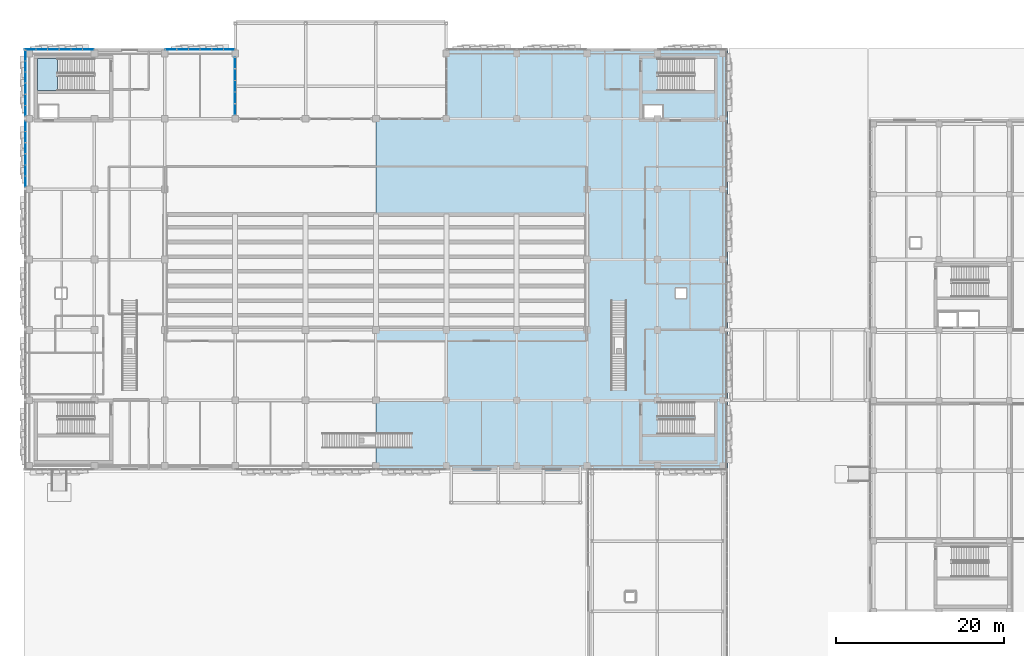
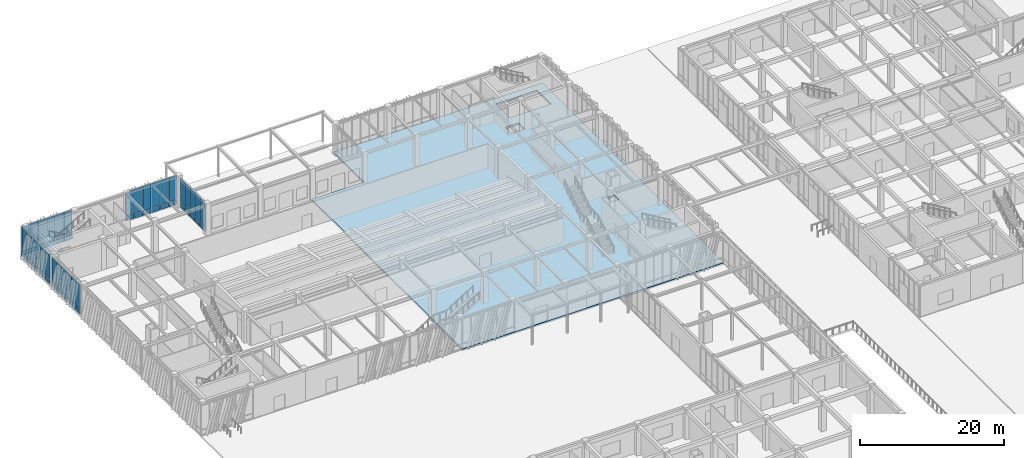
# One storey, part 84 of 122: 58 plates, 2 slabs, 6 elements without a shape of their own.
"""IFC4 building model written with IfcOpenShell, lengths in metres."""

import ifcopenshell
import ifcopenshell.guid

model = None  # the IFC model being written
_history = None  # IfcOwnerHistory: only IFC2X3 demands one
_inside = {}  # id of a spatial element -> (the spatial element, [elements in it])
_under = {}  # id of a project, library or spatial element -> (it, [spatial elements below it])
_declared = {}  # id of a project -> (the project, [libraries it declares])
_typed = {}  # id of a type object -> (the type object, [elements of that type])
_made_of = {}  # id of a material, layer set ... -> (it, [elements and type objects made of it])


def new_model(schema):
    """Start an empty IFC model of exactly this schema.

    Asked for "IFC4X3", IfcOpenShell would pick the latest addendum, in which some entities
    have other attributes; the version numbers below select the first issue.
    IFC2X3 requires an IfcOwnerHistory on every rooted entity: one is made here for all.
    """
    global model, _history
    if schema == "IFC4X3":
        model = ifcopenshell.file(schema_version=(4, 3, 0, 0))
    else:
        model = ifcopenshell.file(schema=schema)
    _inside.clear()
    _under.clear()
    _declared.clear()
    _typed.clear()
    _made_of.clear()
    _history = None
    if model.schema == "IFC2X3":
        org = make("IfcOrganization", Name="unknown")
        user = make(
            "IfcPersonAndOrganization",
            ThePerson=make("IfcPerson", FamilyName="unknown"),
            TheOrganization=org,
        )
        app = make(
            "IfcApplication",
            ApplicationDeveloper=org,
            Version="unknown",
            ApplicationFullName="unknown",
            ApplicationIdentifier="unknown",
        )
        _history = make(
            "IfcOwnerHistory",
            OwningUser=user,
            OwningApplication=app,
            ChangeAction="ADDED",
            CreationDate=0,
        )
    return model


def make(cls, **values):
    """One entity of the class cls with the attributes given. An attribute that is None is left unset."""
    return model.create_entity(
        cls, **{name: value for name, value in values.items() if value is not None}
    )


def rooted(cls, **values):
    """An entity with a GlobalId (a new one), such as an element, a storey or a relation."""
    return make(cls, GlobalId=ifcopenshell.guid.new(), OwnerHistory=_history, **values)


def si_unit(unit_type, name, prefix=None):
    """IfcSIUnit, for example si_unit("LENGTHUNIT", "METRE", prefix="MILLI")."""
    return make("IfcSIUnit", UnitType=unit_type, Prefix=prefix, Name=name)


def assignment(units):
    """IfcUnitAssignment: the units of a project."""
    return None if units is None else make("IfcUnitAssignment", Units=units)


def point(xyz):
    """IfcCartesianPoint."""
    return None if xyz is None else make("IfcCartesianPoint", Coordinates=xyz)


def direction(xyz):
    """IfcDirection."""
    return None if xyz is None else make("IfcDirection", DirectionRatios=xyz)


def frame(location, z_axis=None, x_axis=None):
    """IfcAxis2Placement3D, a coordinate frame: its origin and axes. An axis left out is left unset."""
    return make(
        "IfcAxis2Placement3D",
        Location=point(location),
        Axis=direction(z_axis),
        RefDirection=direction(x_axis),
    )


def frame_2d(location, x_axis=None):
    """IfcAxis2Placement2D, a coordinate frame in the plane: its origin and x axis."""
    return make(
        "IfcAxis2Placement2D", Location=point(location), RefDirection=direction(x_axis)
    )


def origin():
    """The frame at (0, 0, 0) with its axes left unset."""
    return frame((0.0, 0.0, 0.0))


def origin_2d():
    """The frame at (0, 0) in the plane with its x axis left unset."""
    return frame_2d((0.0, 0.0))


def place(relative_to, where):
    """IfcLocalPlacement: puts the frame where relative to a parent placement (None: the world)."""
    return make(
        "IfcLocalPlacement", PlacementRelTo=relative_to, RelativePlacement=where
    )


def context(
    kind, dimensions, precision=None, world=None, true_north=None, identifier=None
):
    """IfcGeometricRepresentationContext, for example the 3D "Model" context."""
    return make(
        "IfcGeometricRepresentationContext",
        ContextIdentifier=identifier,
        ContextType=kind,
        CoordinateSpaceDimension=dimensions,
        Precision=precision,
        WorldCoordinateSystem=world,
        TrueNorth=true_north,
    )


def subcontext(parent, identifier, kind, view, scale=None):
    """IfcGeometricRepresentationSubContext, for example "Body" below "Model"."""
    return make(
        "IfcGeometricRepresentationSubContext",
        ContextIdentifier=identifier,
        ContextType=kind,
        ParentContext=parent,
        TargetScale=scale,
        TargetView=view,
    )


def project(units=None, contexts=None):
    """IfcProject with its units and contexts."""
    return rooted(
        "IfcProject",
        Name="project",
        RepresentationContexts=contexts,
        UnitsInContext=assignment(units),
    )


def spatial(cls, under=None, at=None, **own):
    """A site, building, storey or space (cls), placed at a placement, below another one or the project."""
    s = rooted(cls, ObjectPlacement=at, **own)
    if under is not None:
        _under.setdefault(under.id(), (under, []))[1].append(s)
    return s


def polyline(points):
    """IfcPolyline through the points."""
    return make("IfcPolyline", Points=[point(p) for p in points])


def profile(cls, at=None, kind="AREA", **sizes):
    """A parametric profile (cls). Its sizes go by their IFC names, for example OverallWidth=200.0."""
    return make(cls, ProfileType=kind, Position=at, **sizes)


def rectangle(**sizes):
    """IfcRectangleProfileDef."""
    return profile("IfcRectangleProfileDef", **sizes)


def outline(outer, holes=None, kind="AREA"):
    """IfcArbitraryClosedProfileDef: a profile drawn as a closed curve; with holes, ...WithVoids."""
    if holes is None:
        return make("IfcArbitraryClosedProfileDef", ProfileType=kind, OuterCurve=outer)
    return make(
        "IfcArbitraryProfileDefWithVoids",
        ProfileType=kind,
        OuterCurve=outer,
        InnerCurves=holes,
    )


def extrude(swept, where, along, depth):
    """IfcExtrudedAreaSolid: the profile swept, set in the frame where, extruded along a direction by depth."""
    return make(
        "IfcExtrudedAreaSolid",
        SweptArea=swept,
        Position=where,
        ExtrudedDirection=direction(along),
        Depth=depth,
    )


def shape(context_of_items, identifier, shape_type, items):
    """IfcShapeRepresentation: the items that make up one representation, for example the "Body"."""
    return make(
        "IfcShapeRepresentation",
        ContextOfItems=context_of_items,
        RepresentationIdentifier=identifier,
        RepresentationType=shape_type,
        Items=items,
    )


def material(Name=None, Category=None):
    """IfcMaterial."""
    return make("IfcMaterial", Name=Name, Category=Category)


def layer(
    of_material, thickness, ventilated=None, Name=None, Category=None, Priority=None
):
    """IfcMaterialLayer: one layer of a wall or slab, of a material (None: an air gap)."""
    return make(
        "IfcMaterialLayer",
        Material=of_material,
        LayerThickness=thickness,
        IsVentilated=ventilated,
        Name=Name,
        Category=Category,
        Priority=Priority,
    )


def layer_set(layers, Name=None):
    """IfcMaterialLayerSet."""
    return make("IfcMaterialLayerSet", MaterialLayers=layers, LayerSetName=Name)


def made_of(thing, what):
    """Note that an element or type object is made of a material, layer set ...; save() writes the relation."""
    if what is not None:
        _made_of.setdefault(what.id(), (what, []))[1].append(thing)
    return thing


def type_object(cls, material=None, **own):
    """A type object (cls), such as IfcWallType, which elements share."""
    return made_of(rooted(cls, **own), material)


def element(
    cls,
    number,
    at=None,
    inside=None,
    cuts=None,
    type_object=None,
    material=None,
    context=None,
    identifier="Body",
    shape_type=None,
    held_by="IfcProductDefinitionShape",
    body=None,
    shapes=None,
    **own,
):
    """One element of the class cls, such as IfcWall. Its Tag is "e" and its number.

    at: its placement. inside: the storey or other place that contains it. cuts: it is an
    opening in that element (IfcRelVoidsElement). A single representation is given by context,
    identifier, shape_type and body (its items); several are given by shapes. held_by: the class
    of the entity that holds the representations. save() writes the other relations.
    """
    e = rooted(cls, Tag="e%d" % number, ObjectPlacement=at, **own)
    if body is not None:
        shapes = [shape(context, identifier, shape_type, body)]
    if shapes is not None:
        e.Representation = make(held_by, Representations=shapes)
    if inside is not None:
        _inside.setdefault(inside.id(), (inside, []))[1].append(e)
    if cuts is not None:
        rooted(
            "IfcRelVoidsElement", RelatingBuildingElement=cuts, RelatedOpeningElement=e
        )
    if type_object is not None:
        _typed.setdefault(type_object.id(), (type_object, []))[1].append(e)
    return made_of(e, material)


def aggregate(whole, parts):
    """IfcRelAggregates: a whole, such as a stair, and the parts it consists of."""
    return rooted("IfcRelAggregates", RelatingObject=whole, RelatedObjects=parts)


def save(model, path):
    """Write the relations noted so far, then the file.

    IfcRelAggregates (storeys below a building ...), IfcRelContainedInSpatialStructure (elements
    in a storey), IfcRelDefinesByType, IfcRelAssociatesMaterial and IfcRelDeclares: one each for
    every whole, place, type object, material and project.
    """
    for whole, parts in _under.values():
        aggregate(whole, parts)
    for where, things in _inside.values():
        rooted(
            "IfcRelContainedInSpatialStructure",
            RelatedElements=things,
            RelatingStructure=where,
        )
    for kind, things in _typed.values():
        rooted("IfcRelDefinesByType", RelatedObjects=things, RelatingType=kind)
    for what, things in _made_of.values():
        rooted("IfcRelAssociatesMaterial", RelatedObjects=things, RelatingMaterial=what)
    for by, libraries in _declared.values():
        rooted("IfcRelDeclares", RelatingContext=by, RelatedDefinitions=libraries)
    model.write(path)


model = new_model("IFC4")

# Units and contexts
model_context = context("Model", 3, precision=1e-05, world=origin(), true_north=direction((0.0, 1.0)))
body_context = subcontext(model_context, "Body", "Model", "MODEL_VIEW")
ifc_project = project(units=[si_unit("LENGTHUNIT", "METRE"), si_unit("AREAUNIT", "SQUARE_METRE"), si_unit("VOLUMEUNIT", "CUBIC_METRE"), si_unit("PLANEANGLEUNIT", "RADIAN"), si_unit("MASSUNIT", "GRAM", prefix="KILO")], contexts=[model_context])

# Site, building, storey
site_placement = place(None, origin())
site = spatial("IfcSite", under=ifc_project, at=site_placement, CompositionType="ELEMENT")
building_placement = place(site_placement, origin())
building = spatial("IfcBuilding", under=site, at=building_placement, Name="Zayran Congress Hotel", CompositionType="ELEMENT")
storey_placement = place(building_placement, origin())
storey = spatial("IfcBuildingStorey", under=building, at=storey_placement, Name="L00", CompositionType="ELEMENT", Elevation=0.0)

# Slab
ifc_material_1 = material(Name="Concrete C32/40", Category="concrete")
ifc_layer_1 = layer(ifc_material_1, 0.320068359375)
ifc_layer_set_1 = layer_set([ifc_layer_1], Name="Concrete C32/40")
slab_type_1 = type_object("IfcSlabType", Name="SL-PD-320", PredefinedType="FLOOR", material=ifc_layer_set_1)
slab_1_placement = place(storey_placement, frame((0.0, 0.0, -0.320068359375)))
element("IfcSlab", 1, at=slab_1_placement, inside=storey, type_object=slab_type_1, Name="SLB-V1-L00-002", PredefinedType="FLOOR", context=body_context, shape_type="SweptSolid", body=[
    extrude(outline(polyline([(50.39990234375, 67.60009765625), (92.39990234375, 67.60009765625), (92.39990234375, 118.0), (58.800048828125, 118.0), (58.800048828125, 109.60009765625), (50.39990234375, 109.60009765625), (50.39990234375, 67.60009765625)]), holes=[polyline([(84.139892578125, 112.9599609375), (90.800048828125, 112.9599609375), (90.800048828125, 116.800048828125), (84.139892578125, 116.800048828125), (84.139892578125, 112.9599609375)]), polyline([(82.39990234375, 109.60009765625), (84.60009765625, 109.60009765625), (84.60009765625, 111.199951171875), (82.39990234375, 111.199951171875), (82.39990234375, 109.60009765625)]), polyline([(86.199951171875, 88.199951171875), (87.419921875, 88.199951171875), (87.419921875, 89.3798828125), (86.199951171875, 89.3798828125), (86.199951171875, 88.199951171875)])]), origin(), (0.0, 0.0, 1.0), 0.320068359375),
])

# Curtain wall, plates
ifc_material_2 = material(Name="Anodised aluminium and low-E insulated glass", Category="aluminium")
ifc_layer_2 = layer(ifc_material_2, 0.179931640625)
ifc_layer_set_2 = layer_set([ifc_layer_2], Name="Anodised aluminium and low-E insulated glass")
curtain_wall_type_1 = type_object("IfcCurtainWallType", Name="CW-V1N-L00-CW-21-8360-5080", PredefinedType="USERDEFINED", material=ifc_layer_set_2)
curtain_wall_1_placement = place(storey_placement, origin())
curtain_wall_1 = element("IfcCurtainWall", 2, at=curtain_wall_1_placement, inside=storey, type_object=curtain_wall_type_1, Name="CW-V1N-L00-0", ObjectType="CURTAIN WALL", PredefinedType="USERDEFINED")
ifc_layer_3 = layer(ifc_material_2, 0.028076171875)
ifc_layer_set_3 = layer_set([ifc_layer_3], Name="Anodised aluminium and low-E insulated glass")
plate_type_1 = type_object("IfcPlateType", Name="CWP-GL-1273-4150", PredefinedType="CURTAIN_PANEL", material=ifc_layer_set_3)
plate_1_placement = place(storey_placement, frame((16.063232421875, 117.85009765625, 0.8701171875), z_axis=(0.0, 0.0, 1.0), x_axis=(1.0, 0.0, 0.0)))
plate_1 = element("IfcPlate", 3, at=plate_1_placement, type_object=plate_type_1, Name="CW-21 Glazed Panel 1", PredefinedType="CURTAIN_PANEL", context=body_context, shape_type="SweptSolid", body=[
    extrude(rectangle(XDim=1.273193359375, YDim=0.028076171875, at=origin_2d()), origin(), (0.0, 0.0, 1.0), 4.14990234375),
])
plate_2_placement = place(storey_placement, frame((14.68994140625, 117.85009765625, 0.8701171875), z_axis=(0.0, 0.0, 1.0), x_axis=(1.0, 0.0, 0.0)))
plate_2 = element("IfcPlate", 4, at=plate_2_placement, type_object=plate_type_1, Name="CW-21 Glazed Panel 2", PredefinedType="CURTAIN_PANEL", context=body_context, shape_type="SweptSolid", body=[
    extrude(rectangle(XDim=1.313232421875, YDim=0.028076171875, at=origin_2d()), origin(), (0.0, 0.0, 1.0), 4.14990234375),
])
plate_3_placement = place(storey_placement, frame((13.296630859375, 117.85009765625, 0.8701171875), z_axis=(0.0, 0.0, 1.0), x_axis=(1.0, 0.0, 0.0)))
plate_3 = element("IfcPlate", 5, at=plate_3_placement, type_object=plate_type_1, Name="CW-21 Glazed Panel 3", PredefinedType="CURTAIN_PANEL", context=body_context, shape_type="SweptSolid", body=[
    extrude(rectangle(XDim=1.313232421875, YDim=0.028076171875, at=origin_2d()), origin(), (0.0, 0.0, 1.0), 4.14990234375),
])
plate_4_placement = place(storey_placement, frame((11.9033203125, 117.85009765625, 0.8701171875), z_axis=(0.0, 0.0, 1.0), x_axis=(1.0, 0.0, 0.0)))
plate_4 = element("IfcPlate", 6, at=plate_4_placement, type_object=plate_type_1, Name="CW-21 Glazed Panel 4", PredefinedType="CURTAIN_PANEL", context=body_context, shape_type="SweptSolid", body=[
    extrude(rectangle(XDim=1.313232421875, YDim=0.028076171875, at=origin_2d()), origin(), (0.0, 0.0, 1.0), 4.14990234375),
])
plate_5_placement = place(storey_placement, frame((10.510009765625, 117.85009765625, 0.8701171875), z_axis=(0.0, 0.0, 1.0), x_axis=(1.0, 0.0, 0.0)))
plate_5 = element("IfcPlate", 7, at=plate_5_placement, type_object=plate_type_1, Name="CW-21 Glazed Panel 5", PredefinedType="CURTAIN_PANEL", context=body_context, shape_type="SweptSolid", body=[
    extrude(rectangle(XDim=1.313232421875, YDim=0.028076171875, at=origin_2d()), origin(), (0.0, 0.0, 1.0), 4.14990234375),
])
plate_6_placement = place(storey_placement, frame((9.13671875, 117.85009765625, 0.8701171875), z_axis=(0.0, 0.0, 1.0), x_axis=(1.0, 0.0, 0.0)))
plate_6 = element("IfcPlate", 8, at=plate_6_placement, type_object=plate_type_1, Name="CW-21 Glazed Panel 6", PredefinedType="CURTAIN_PANEL", context=body_context, shape_type="SweptSolid", body=[
    extrude(rectangle(XDim=1.273193359375, YDim=0.028076171875, at=origin_2d()), origin(), (0.0, 0.0, 1.0), 4.14990234375),
])

ifc_layer_4 = layer(ifc_material_2, 0.179931640625)
ifc_layer_set_4 = layer_set([ifc_layer_4], Name="Anodised aluminium and low-E insulated glass")
curtain_wall_type_2 = type_object("IfcCurtainWallType", Name="CW-V1N-L00-CW-23-8360-5080", PredefinedType="USERDEFINED", material=ifc_layer_set_4)
curtain_wall_2_placement = place(storey_placement, origin())
curtain_wall_2 = element("IfcCurtainWall", 9, at=curtain_wall_2_placement, inside=storey, type_object=curtain_wall_type_2, Name="CW-V1N-L00-2", ObjectType="CURTAIN WALL", PredefinedType="USERDEFINED")
plate_7_placement = place(storey_placement, frame((32.86328125, 117.85009765625, 0.8701171875), z_axis=(0.0, 0.0, 1.0), x_axis=(1.0, 0.0, 0.0)))
plate_7 = element("IfcPlate", 10, at=plate_7_placement, type_object=plate_type_1, Name="CW-23 Glazed Panel 1", PredefinedType="CURTAIN_PANEL", context=body_context, shape_type="SweptSolid", body=[
    extrude(rectangle(XDim=1.273193359375, YDim=0.028076171875, at=origin_2d()), origin(), (0.0, 0.0, 1.0), 4.14990234375),
])
plate_8_placement = place(storey_placement, frame((31.489990234375, 117.85009765625, 0.8701171875), z_axis=(0.0, 0.0, 1.0), x_axis=(1.0, 0.0, 0.0)))
plate_8 = element("IfcPlate", 11, at=plate_8_placement, type_object=plate_type_1, Name="CW-23 Glazed Panel 2", PredefinedType="CURTAIN_PANEL", context=body_context, shape_type="SweptSolid", body=[
    extrude(rectangle(XDim=1.313232421875, YDim=0.028076171875, at=origin_2d()), origin(), (0.0, 0.0, 1.0), 4.14990234375),
])
plate_9_placement = place(storey_placement, frame((30.0966796875, 117.85009765625, 0.8701171875), z_axis=(0.0, 0.0, 1.0), x_axis=(1.0, 0.0, 0.0)))
plate_9 = element("IfcPlate", 12, at=plate_9_placement, type_object=plate_type_1, Name="CW-23 Glazed Panel 3", PredefinedType="CURTAIN_PANEL", context=body_context, shape_type="SweptSolid", body=[
    extrude(rectangle(XDim=1.313232421875, YDim=0.028076171875, at=origin_2d()), origin(), (0.0, 0.0, 1.0), 4.14990234375),
])
plate_10_placement = place(storey_placement, frame((28.703369140625, 117.85009765625, 0.8701171875), z_axis=(0.0, 0.0, 1.0), x_axis=(1.0, 0.0, 0.0)))
plate_10 = element("IfcPlate", 13, at=plate_10_placement, type_object=plate_type_1, Name="CW-23 Glazed Panel 4", PredefinedType="CURTAIN_PANEL", context=body_context, shape_type="SweptSolid", body=[
    extrude(rectangle(XDim=1.313232421875, YDim=0.028076171875, at=origin_2d()), origin(), (0.0, 0.0, 1.0), 4.14990234375),
])
plate_11_placement = place(storey_placement, frame((27.31005859375, 117.85009765625, 0.8701171875), z_axis=(0.0, 0.0, 1.0), x_axis=(1.0, 0.0, 0.0)))
plate_11 = element("IfcPlate", 14, at=plate_11_placement, type_object=plate_type_1, Name="CW-23 Glazed Panel 5", PredefinedType="CURTAIN_PANEL", context=body_context, shape_type="SweptSolid", body=[
    extrude(rectangle(XDim=1.313232421875, YDim=0.028076171875, at=origin_2d()), origin(), (0.0, 0.0, 1.0), 4.14990234375),
])
plate_12_placement = place(storey_placement, frame((25.936767578125, 117.85009765625, 0.8701171875), z_axis=(0.0, 0.0, 1.0), x_axis=(1.0, 0.0, 0.0)))
plate_12 = element("IfcPlate", 15, at=plate_12_placement, type_object=plate_type_1, Name="CW-23 Glazed Panel 6", PredefinedType="CURTAIN_PANEL", context=body_context, shape_type="SweptSolid", body=[
    extrude(rectangle(XDim=1.273193359375, YDim=0.028076171875, at=origin_2d()), origin(), (0.0, 0.0, 1.0), 4.14990234375),
])

# Plate
ifc_material_3 = material(Name="Insulated warm bronze aluminium spandrel panel", Category="aluminium")
ifc_layer_5 = layer(ifc_material_3, 0.06005859375)
ifc_layer_set_5 = layer_set([ifc_layer_5], Name="Insulated warm bronze aluminium spandrel panel")
plate_type_2 = type_object("IfcPlateType", Name="CWP-SP-1273-750", PredefinedType="CURTAIN_PANEL", material=ifc_layer_set_5)
plate_13_placement = place(storey_placement, frame((16.063232421875, 117.85009765625, 0.06005859375), z_axis=(0.0, 0.0, 1.0), x_axis=(1.0, 0.0, 0.0)))
plate_13 = element("IfcPlate", 16, at=plate_13_placement, type_object=plate_type_2, Name="CW-21 Spandrel Panel 1", PredefinedType="CURTAIN_PANEL", context=body_context, shape_type="SweptSolid", body=[
    extrude(rectangle(XDim=1.273193359375, YDim=0.06005859375, at=origin_2d()), origin(), (0.0, 0.0, 1.0), 0.75),
])

plate_14_placement = place(storey_placement, frame((14.68994140625, 117.85009765625, 0.06005859375), z_axis=(0.0, 0.0, 1.0), x_axis=(1.0, 0.0, 0.0)))
plate_14 = element("IfcPlate", 17, at=plate_14_placement, type_object=plate_type_2, Name="CW-21 Spandrel Panel 2", PredefinedType="CURTAIN_PANEL", context=body_context, shape_type="SweptSolid", body=[
    extrude(rectangle(XDim=1.313232421875, YDim=0.06005859375, at=origin_2d()), origin(), (0.0, 0.0, 1.0), 0.75),
])

plate_15_placement = place(storey_placement, frame((13.296630859375, 117.85009765625, 0.06005859375), z_axis=(0.0, 0.0, 1.0), x_axis=(1.0, 0.0, 0.0)))
plate_15 = element("IfcPlate", 18, at=plate_15_placement, type_object=plate_type_2, Name="CW-21 Spandrel Panel 3", PredefinedType="CURTAIN_PANEL", context=body_context, shape_type="SweptSolid", body=[
    extrude(rectangle(XDim=1.313232421875, YDim=0.06005859375, at=origin_2d()), origin(), (0.0, 0.0, 1.0), 0.75),
])

plate_16_placement = place(storey_placement, frame((11.9033203125, 117.85009765625, 0.06005859375), z_axis=(0.0, 0.0, 1.0), x_axis=(1.0, 0.0, 0.0)))
plate_16 = element("IfcPlate", 19, at=plate_16_placement, type_object=plate_type_2, Name="CW-21 Spandrel Panel 4", PredefinedType="CURTAIN_PANEL", context=body_context, shape_type="SweptSolid", body=[
    extrude(rectangle(XDim=1.313232421875, YDim=0.06005859375, at=origin_2d()), origin(), (0.0, 0.0, 1.0), 0.75),
])

plate_17_placement = place(storey_placement, frame((10.510009765625, 117.85009765625, 0.06005859375), z_axis=(0.0, 0.0, 1.0), x_axis=(1.0, 0.0, 0.0)))
plate_17 = element("IfcPlate", 20, at=plate_17_placement, type_object=plate_type_2, Name="CW-21 Spandrel Panel 5", PredefinedType="CURTAIN_PANEL", context=body_context, shape_type="SweptSolid", body=[
    extrude(rectangle(XDim=1.313232421875, YDim=0.06005859375, at=origin_2d()), origin(), (0.0, 0.0, 1.0), 0.75),
])

plate_18_placement = place(storey_placement, frame((9.13671875, 117.85009765625, 0.06005859375), z_axis=(0.0, 0.0, 1.0), x_axis=(1.0, 0.0, 0.0)))
plate_18 = element("IfcPlate", 21, at=plate_18_placement, type_object=plate_type_2, Name="CW-21 Spandrel Panel 6", PredefinedType="CURTAIN_PANEL", context=body_context, shape_type="SweptSolid", body=[
    extrude(rectangle(XDim=1.273193359375, YDim=0.06005859375, at=origin_2d()), origin(), (0.0, 0.0, 1.0), 0.75),
])

aggregate(curtain_wall_1, [plate_13, plate_1, plate_14, plate_2, plate_15, plate_3, plate_16, plate_4, plate_17, plate_5, plate_18, plate_6])

plate_19_placement = place(storey_placement, frame((32.86328125, 117.85009765625, 0.06005859375), z_axis=(0.0, 0.0, 1.0), x_axis=(1.0, 0.0, 0.0)))
plate_19 = element("IfcPlate", 22, at=plate_19_placement, type_object=plate_type_2, Name="CW-23 Spandrel Panel 1", PredefinedType="CURTAIN_PANEL", context=body_context, shape_type="SweptSolid", body=[
    extrude(rectangle(XDim=1.273193359375, YDim=0.06005859375, at=origin_2d()), origin(), (0.0, 0.0, 1.0), 0.75),
])

plate_20_placement = place(storey_placement, frame((31.489990234375, 117.85009765625, 0.06005859375), z_axis=(0.0, 0.0, 1.0), x_axis=(1.0, 0.0, 0.0)))
plate_20 = element("IfcPlate", 23, at=plate_20_placement, type_object=plate_type_2, Name="CW-23 Spandrel Panel 2", PredefinedType="CURTAIN_PANEL", context=body_context, shape_type="SweptSolid", body=[
    extrude(rectangle(XDim=1.313232421875, YDim=0.06005859375, at=origin_2d()), origin(), (0.0, 0.0, 1.0), 0.75),
])

plate_21_placement = place(storey_placement, frame((30.0966796875, 117.85009765625, 0.06005859375), z_axis=(0.0, 0.0, 1.0), x_axis=(1.0, 0.0, 0.0)))
plate_21 = element("IfcPlate", 24, at=plate_21_placement, type_object=plate_type_2, Name="CW-23 Spandrel Panel 3", PredefinedType="CURTAIN_PANEL", context=body_context, shape_type="SweptSolid", body=[
    extrude(rectangle(XDim=1.313232421875, YDim=0.06005859375, at=origin_2d()), origin(), (0.0, 0.0, 1.0), 0.75),
])

plate_22_placement = place(storey_placement, frame((28.703369140625, 117.85009765625, 0.06005859375), z_axis=(0.0, 0.0, 1.0), x_axis=(1.0, 0.0, 0.0)))
plate_22 = element("IfcPlate", 25, at=plate_22_placement, type_object=plate_type_2, Name="CW-23 Spandrel Panel 4", PredefinedType="CURTAIN_PANEL", context=body_context, shape_type="SweptSolid", body=[
    extrude(rectangle(XDim=1.313232421875, YDim=0.06005859375, at=origin_2d()), origin(), (0.0, 0.0, 1.0), 0.75),
])

plate_23_placement = place(storey_placement, frame((27.31005859375, 117.85009765625, 0.06005859375), z_axis=(0.0, 0.0, 1.0), x_axis=(1.0, 0.0, 0.0)))
plate_23 = element("IfcPlate", 26, at=plate_23_placement, type_object=plate_type_2, Name="CW-23 Spandrel Panel 5", PredefinedType="CURTAIN_PANEL", context=body_context, shape_type="SweptSolid", body=[
    extrude(rectangle(XDim=1.313232421875, YDim=0.06005859375, at=origin_2d()), origin(), (0.0, 0.0, 1.0), 0.75),
])

plate_24_placement = place(storey_placement, frame((25.936767578125, 117.85009765625, 0.06005859375), z_axis=(0.0, 0.0, 1.0), x_axis=(1.0, 0.0, 0.0)))
plate_24 = element("IfcPlate", 27, at=plate_24_placement, type_object=plate_type_2, Name="CW-23 Spandrel Panel 6", PredefinedType="CURTAIN_PANEL", context=body_context, shape_type="SweptSolid", body=[
    extrude(rectangle(XDim=1.273193359375, YDim=0.06005859375, at=origin_2d()), origin(), (0.0, 0.0, 1.0), 0.75),
])

aggregate(curtain_wall_2, [plate_19, plate_7, plate_20, plate_8, plate_21, plate_9, plate_22, plate_10, plate_23, plate_11, plate_24, plate_12])

# Curtain wall, plates
ifc_layer_6 = layer(ifc_material_2, 0.179931640625)
ifc_layer_set_6 = layer_set([ifc_layer_6], Name="Anodised aluminium and low-E insulated glass")
curtain_wall_type_3 = type_object("IfcCurtainWallType", Name="CW-V1NW-L00-CW-24-6960-5080", PredefinedType="USERDEFINED", material=ifc_layer_set_6)
curtain_wall_3_placement = place(storey_placement, origin())
curtain_wall_3 = element("IfcCurtainWall", 28, at=curtain_wall_3_placement, inside=storey, type_object=curtain_wall_type_3, Name="CW-V1NW-L00", ObjectType="CURTAIN WALL", PredefinedType="USERDEFINED")
ifc_layer_7 = layer(ifc_material_2, 0.028076171875)
ifc_layer_set_7 = layer_set([ifc_layer_7], Name="Anodised aluminium and low-E insulated glass")
plate_type_3 = type_object("IfcPlateType", Name="CWP-GL-1272-4150", PredefinedType="CURTAIN_PANEL", material=ifc_layer_set_7)
plate_25_placement = place(storey_placement, frame((33.60009765625, 110.736083984375, 0.8701171875), z_axis=(0.0, 0.0, 1.0), x_axis=(0.0, 1.0, 0.0)))
plate_25 = element("IfcPlate", 29, at=plate_25_placement, type_object=plate_type_3, Name="CW-24 Glazed Panel 1", PredefinedType="CURTAIN_PANEL", context=body_context, shape_type="SweptSolid", body=[
    extrude(rectangle(XDim=1.27197265625, YDim=0.028076171875, at=origin_2d()), origin(), (0.0, 0.0, 1.0), 4.14990234375),
])
plate_26_placement = place(storey_placement, frame((33.60009765625, 112.10791015625, 0.8701171875), z_axis=(0.0, 0.0, 1.0), x_axis=(0.0, 1.0, 0.0)))
plate_26 = element("IfcPlate", 30, at=plate_26_placement, type_object=plate_type_3, Name="CW-24 Glazed Panel 2", PredefinedType="CURTAIN_PANEL", context=body_context, shape_type="SweptSolid", body=[
    extrude(rectangle(XDim=1.31201171875, YDim=0.028076171875, at=origin_2d()), origin(), (0.0, 0.0, 1.0), 4.14990234375),
])
plate_27_placement = place(storey_placement, frame((33.60009765625, 113.5, 0.8701171875), z_axis=(0.0, 0.0, 1.0), x_axis=(0.0, 1.0, 0.0)))
plate_27 = element("IfcPlate", 31, at=plate_27_placement, type_object=plate_type_3, Name="CW-24 Glazed Panel 3", PredefinedType="CURTAIN_PANEL", context=body_context, shape_type="SweptSolid", body=[
    extrude(rectangle(XDim=1.31201171875, YDim=0.028076171875, at=origin_2d()), origin(), (0.0, 0.0, 1.0), 4.14990234375),
])
plate_28_placement = place(storey_placement, frame((33.60009765625, 114.89208984375, 0.8701171875), z_axis=(0.0, 0.0, 1.0), x_axis=(0.0, 1.0, 0.0)))
plate_28 = element("IfcPlate", 32, at=plate_28_placement, type_object=plate_type_3, Name="CW-24 Glazed Panel 4", PredefinedType="CURTAIN_PANEL", context=body_context, shape_type="SweptSolid", body=[
    extrude(rectangle(XDim=1.31201171875, YDim=0.028076171875, at=origin_2d()), origin(), (0.0, 0.0, 1.0), 4.14990234375),
])
plate_29_placement = place(storey_placement, frame((33.60009765625, 116.263916015625, 0.8701171875), z_axis=(0.0, 0.0, 1.0), x_axis=(0.0, 1.0, 0.0)))
plate_29 = element("IfcPlate", 33, at=plate_29_placement, type_object=plate_type_3, Name="CW-24 Glazed Panel 5", PredefinedType="CURTAIN_PANEL", context=body_context, shape_type="SweptSolid", body=[
    extrude(rectangle(XDim=1.27197265625, YDim=0.028076171875, at=origin_2d()), origin(), (0.0, 0.0, 1.0), 4.14990234375),
])
ifc_layer_8 = layer(ifc_material_3, 0.06005859375)
ifc_layer_set_8 = layer_set([ifc_layer_8], Name="Insulated warm bronze aluminium spandrel panel")
plate_type_4 = type_object("IfcPlateType", Name="CWP-SP-1272-750", PredefinedType="CURTAIN_PANEL", material=ifc_layer_set_8)
plate_30_placement = place(storey_placement, frame((33.60009765625, 110.736083984375, 0.06005859375), z_axis=(0.0, 0.0, 1.0), x_axis=(0.0, 1.0, 0.0)))
plate_30 = element("IfcPlate", 34, at=plate_30_placement, type_object=plate_type_4, Name="CW-24 Spandrel Panel 1", PredefinedType="CURTAIN_PANEL", context=body_context, shape_type="SweptSolid", body=[
    extrude(rectangle(XDim=1.27197265625, YDim=0.06005859375, at=origin_2d()), origin(), (0.0, 0.0, 1.0), 0.75),
])
plate_31_placement = place(storey_placement, frame((33.60009765625, 112.10791015625, 0.06005859375), z_axis=(0.0, 0.0, 1.0), x_axis=(0.0, 1.0, 0.0)))
plate_31 = element("IfcPlate", 35, at=plate_31_placement, type_object=plate_type_4, Name="CW-24 Spandrel Panel 2", PredefinedType="CURTAIN_PANEL", context=body_context, shape_type="SweptSolid", body=[
    extrude(rectangle(XDim=1.31201171875, YDim=0.06005859375, at=origin_2d()), origin(), (0.0, 0.0, 1.0), 0.75),
])
plate_32_placement = place(storey_placement, frame((33.60009765625, 113.5, 0.06005859375), z_axis=(0.0, 0.0, 1.0), x_axis=(0.0, 1.0, 0.0)))
plate_32 = element("IfcPlate", 36, at=plate_32_placement, type_object=plate_type_4, Name="CW-24 Spandrel Panel 3", PredefinedType="CURTAIN_PANEL", context=body_context, shape_type="SweptSolid", body=[
    extrude(rectangle(XDim=1.31201171875, YDim=0.06005859375, at=origin_2d()), origin(), (0.0, 0.0, 1.0), 0.75),
])
plate_33_placement = place(storey_placement, frame((33.60009765625, 114.89208984375, 0.06005859375), z_axis=(0.0, 0.0, 1.0), x_axis=(0.0, 1.0, 0.0)))
plate_33 = element("IfcPlate", 37, at=plate_33_placement, type_object=plate_type_4, Name="CW-24 Spandrel Panel 4", PredefinedType="CURTAIN_PANEL", context=body_context, shape_type="SweptSolid", body=[
    extrude(rectangle(XDim=1.31201171875, YDim=0.06005859375, at=origin_2d()), origin(), (0.0, 0.0, 1.0), 0.75),
])
plate_34_placement = place(storey_placement, frame((33.60009765625, 116.263916015625, 0.06005859375), z_axis=(0.0, 0.0, 1.0), x_axis=(0.0, 1.0, 0.0)))
plate_34 = element("IfcPlate", 38, at=plate_34_placement, type_object=plate_type_4, Name="CW-24 Spandrel Panel 5", PredefinedType="CURTAIN_PANEL", context=body_context, shape_type="SweptSolid", body=[
    extrude(rectangle(XDim=1.27197265625, YDim=0.06005859375, at=origin_2d()), origin(), (0.0, 0.0, 1.0), 0.75),
])
aggregate(curtain_wall_3, [plate_30, plate_25, plate_31, plate_26, plate_32, plate_27, plate_33, plate_28, plate_34, plate_29])

ifc_layer_9 = layer(ifc_material_2, 0.179931640625)
ifc_layer_set_9 = layer_set([ifc_layer_9], Name="Anodised aluminium and low-E insulated glass")
curtain_wall_type_4 = type_object("IfcCurtainWallType", Name="CW-V1W-L00-CW-31-7990-5080", PredefinedType="USERDEFINED", material=ifc_layer_set_9)
curtain_wall_4_placement = place(storey_placement, origin())
curtain_wall_4 = element("IfcCurtainWall", 39, at=curtain_wall_4_placement, inside=storey, type_object=curtain_wall_type_4, Name="CW-V1W-L00-4", ObjectType="CURTAIN WALL", PredefinedType="USERDEFINED")
ifc_layer_10 = layer(ifc_material_2, 0.028076171875)
ifc_layer_set_10 = layer_set([ifc_layer_10], Name="Anodised aluminium and low-E insulated glass")
plate_type_5 = type_object("IfcPlateType", Name="CWP-GL-1212-4150", PredefinedType="CURTAIN_PANEL", material=ifc_layer_set_10)
plate_35_placement = place(storey_placement, frame((8.550048828125, 108.734130859375, 0.8701171875), z_axis=(0.0, 0.0, 1.0), x_axis=(0.0, 1.0, 0.0)))
plate_35 = element("IfcPlate", 40, at=plate_35_placement, type_object=plate_type_5, Name="CW-31 Glazed Panel 1", PredefinedType="CURTAIN_PANEL", context=body_context, shape_type="SweptSolid", body=[
    extrude(rectangle(XDim=1.211669921875, YDim=0.028076171875, at=origin_2d()), origin(), (0.0, 0.0, 1.0), 4.14990234375),
])
plate_36_placement = place(storey_placement, frame((8.550048828125, 107.422607421875, 0.8701171875), z_axis=(0.0, 0.0, 1.0), x_axis=(0.0, 1.0, 0.0)))
plate_36 = element("IfcPlate", 41, at=plate_36_placement, type_object=plate_type_5, Name="CW-31 Glazed Panel 2", PredefinedType="CURTAIN_PANEL", context=body_context, shape_type="SweptSolid", body=[
    extrude(rectangle(XDim=1.251708984375, YDim=0.028076171875, at=origin_2d()), origin(), (0.0, 0.0, 1.0), 4.14990234375),
])
plate_37_placement = place(storey_placement, frame((8.550048828125, 106.0908203125, 0.8701171875), z_axis=(0.0, 0.0, 1.0), x_axis=(0.0, 1.0, 0.0)))
plate_37 = element("IfcPlate", 42, at=plate_37_placement, type_object=plate_type_5, Name="CW-31 Glazed Panel 3", PredefinedType="CURTAIN_PANEL", context=body_context, shape_type="SweptSolid", body=[
    extrude(rectangle(XDim=1.251708984375, YDim=0.028076171875, at=origin_2d()), origin(), (0.0, 0.0, 1.0), 4.14990234375),
])
plate_38_placement = place(storey_placement, frame((8.550048828125, 104.75927734375, 0.8701171875), z_axis=(0.0, 0.0, 1.0), x_axis=(0.0, 1.0, 0.0)))
plate_38 = element("IfcPlate", 43, at=plate_38_placement, type_object=plate_type_5, Name="CW-31 Glazed Panel 4", PredefinedType="CURTAIN_PANEL", context=body_context, shape_type="SweptSolid", body=[
    extrude(rectangle(XDim=1.251708984375, YDim=0.028076171875, at=origin_2d()), origin(), (0.0, 0.0, 1.0), 4.14990234375),
])
plate_39_placement = place(storey_placement, frame((8.550048828125, 103.427490234375, 0.8701171875), z_axis=(0.0, 0.0, 1.0), x_axis=(0.0, 1.0, 0.0)))
plate_39 = element("IfcPlate", 44, at=plate_39_placement, type_object=plate_type_5, Name="CW-31 Glazed Panel 5", PredefinedType="CURTAIN_PANEL", context=body_context, shape_type="SweptSolid", body=[
    extrude(rectangle(XDim=1.251708984375, YDim=0.028076171875, at=origin_2d()), origin(), (0.0, 0.0, 1.0), 4.14990234375),
])
plate_40_placement = place(storey_placement, frame((8.550048828125, 102.11572265625, 0.8701171875), z_axis=(0.0, 0.0, 1.0), x_axis=(0.0, 1.0, 0.0)))
plate_40 = element("IfcPlate", 45, at=plate_40_placement, type_object=plate_type_5, Name="CW-31 Glazed Panel 6", PredefinedType="CURTAIN_PANEL", context=body_context, shape_type="SweptSolid", body=[
    extrude(rectangle(XDim=1.211669921875, YDim=0.028076171875, at=origin_2d()), origin(), (0.0, 0.0, 1.0), 4.14990234375),
])
ifc_layer_11 = layer(ifc_material_3, 0.06005859375)
ifc_layer_set_11 = layer_set([ifc_layer_11], Name="Insulated warm bronze aluminium spandrel panel")
plate_type_6 = type_object("IfcPlateType", Name="CWP-SP-1212-750", PredefinedType="CURTAIN_PANEL", material=ifc_layer_set_11)
plate_41_placement = place(storey_placement, frame((8.550048828125, 108.734130859375, 0.06005859375), z_axis=(0.0, 0.0, 1.0), x_axis=(0.0, 1.0, 0.0)))
plate_41 = element("IfcPlate", 46, at=plate_41_placement, type_object=plate_type_6, Name="CW-31 Spandrel Panel 1", PredefinedType="CURTAIN_PANEL", context=body_context, shape_type="SweptSolid", body=[
    extrude(rectangle(XDim=1.211669921875, YDim=0.06005859375, at=origin_2d()), origin(), (0.0, 0.0, 1.0), 0.75),
])
plate_42_placement = place(storey_placement, frame((8.550048828125, 107.422607421875, 0.06005859375), z_axis=(0.0, 0.0, 1.0), x_axis=(0.0, 1.0, 0.0)))
plate_42 = element("IfcPlate", 47, at=plate_42_placement, type_object=plate_type_6, Name="CW-31 Spandrel Panel 2", PredefinedType="CURTAIN_PANEL", context=body_context, shape_type="SweptSolid", body=[
    extrude(rectangle(XDim=1.251708984375, YDim=0.06005859375, at=origin_2d()), origin(), (0.0, 0.0, 1.0), 0.75),
])
plate_43_placement = place(storey_placement, frame((8.550048828125, 106.0908203125, 0.06005859375), z_axis=(0.0, 0.0, 1.0), x_axis=(0.0, 1.0, 0.0)))
plate_43 = element("IfcPlate", 48, at=plate_43_placement, type_object=plate_type_6, Name="CW-31 Spandrel Panel 3", PredefinedType="CURTAIN_PANEL", context=body_context, shape_type="SweptSolid", body=[
    extrude(rectangle(XDim=1.251708984375, YDim=0.06005859375, at=origin_2d()), origin(), (0.0, 0.0, 1.0), 0.75),
])
plate_44_placement = place(storey_placement, frame((8.550048828125, 104.75927734375, 0.06005859375), z_axis=(0.0, 0.0, 1.0), x_axis=(0.0, 1.0, 0.0)))
plate_44 = element("IfcPlate", 49, at=plate_44_placement, type_object=plate_type_6, Name="CW-31 Spandrel Panel 4", PredefinedType="CURTAIN_PANEL", context=body_context, shape_type="SweptSolid", body=[
    extrude(rectangle(XDim=1.251708984375, YDim=0.06005859375, at=origin_2d()), origin(), (0.0, 0.0, 1.0), 0.75),
])
plate_45_placement = place(storey_placement, frame((8.550048828125, 103.427490234375, 0.06005859375), z_axis=(0.0, 0.0, 1.0), x_axis=(0.0, 1.0, 0.0)))
plate_45 = element("IfcPlate", 50, at=plate_45_placement, type_object=plate_type_6, Name="CW-31 Spandrel Panel 5", PredefinedType="CURTAIN_PANEL", context=body_context, shape_type="SweptSolid", body=[
    extrude(rectangle(XDim=1.251708984375, YDim=0.06005859375, at=origin_2d()), origin(), (0.0, 0.0, 1.0), 0.75),
])
plate_46_placement = place(storey_placement, frame((8.550048828125, 102.11572265625, 0.06005859375), z_axis=(0.0, 0.0, 1.0), x_axis=(0.0, 1.0, 0.0)))
plate_46 = element("IfcPlate", 51, at=plate_46_placement, type_object=plate_type_6, Name="CW-31 Spandrel Panel 6", PredefinedType="CURTAIN_PANEL", context=body_context, shape_type="SweptSolid", body=[
    extrude(rectangle(XDim=1.211669921875, YDim=0.06005859375, at=origin_2d()), origin(), (0.0, 0.0, 1.0), 0.75),
])
aggregate(curtain_wall_4, [plate_41, plate_35, plate_42, plate_36, plate_43, plate_37, plate_44, plate_38, plate_45, plate_39, plate_46, plate_40])

ifc_layer_12 = layer(ifc_material_2, 0.179931640625)
ifc_layer_set_12 = layer_set([ifc_layer_12], Name="Anodised aluminium and low-E insulated glass")
curtain_wall_type_5 = type_object("IfcCurtainWallType", Name="CW-V1W-L00-CW-32-7940-5080", PredefinedType="USERDEFINED", material=ifc_layer_set_12)
curtain_wall_5_placement = place(storey_placement, origin())
curtain_wall_5 = element("IfcCurtainWall", 52, at=curtain_wall_5_placement, inside=storey, type_object=curtain_wall_type_5, Name="CW-V1W-L00-5", ObjectType="CURTAIN WALL", PredefinedType="USERDEFINED")
ifc_layer_13 = layer(ifc_material_2, 0.028076171875)
ifc_layer_set_13 = layer_set([ifc_layer_13], Name="Anodised aluminium and low-E insulated glass")
plate_type_7 = type_object("IfcPlateType", Name="CWP-GL-1203-4150", PredefinedType="CURTAIN_PANEL", material=ifc_layer_set_13)
plate_47_placement = place(storey_placement, frame((8.550048828125, 117.13818359375, 0.8701171875), z_axis=(0.0, 0.0, 1.0), x_axis=(0.0, 1.0, 0.0)))
plate_47 = element("IfcPlate", 53, at=plate_47_placement, type_object=plate_type_7, Name="CW-32 Glazed Panel 1", PredefinedType="CURTAIN_PANEL", context=body_context, shape_type="SweptSolid", body=[
    extrude(rectangle(XDim=1.203369140625, YDim=0.028076171875, at=origin_2d()), origin(), (0.0, 0.0, 1.0), 4.14990234375),
])
plate_48_placement = place(storey_placement, frame((8.550048828125, 115.8349609375, 0.8701171875), z_axis=(0.0, 0.0, 1.0), x_axis=(0.0, 1.0, 0.0)))
plate_48 = element("IfcPlate", 54, at=plate_48_placement, type_object=plate_type_7, Name="CW-32 Glazed Panel 2", PredefinedType="CURTAIN_PANEL", context=body_context, shape_type="SweptSolid", body=[
    extrude(rectangle(XDim=1.243408203125, YDim=0.028076171875, at=origin_2d()), origin(), (0.0, 0.0, 1.0), 4.14990234375),
])
plate_49_placement = place(storey_placement, frame((8.550048828125, 114.51171875, 0.8701171875), z_axis=(0.0, 0.0, 1.0), x_axis=(0.0, 1.0, 0.0)))
plate_49 = element("IfcPlate", 55, at=plate_49_placement, type_object=plate_type_7, Name="CW-32 Glazed Panel 3", PredefinedType="CURTAIN_PANEL", context=body_context, shape_type="SweptSolid", body=[
    extrude(rectangle(XDim=1.243408203125, YDim=0.028076171875, at=origin_2d()), origin(), (0.0, 0.0, 1.0), 4.14990234375),
])
plate_50_placement = place(storey_placement, frame((8.550048828125, 113.188232421875, 0.8701171875), z_axis=(0.0, 0.0, 1.0), x_axis=(0.0, 1.0, 0.0)))
plate_50 = element("IfcPlate", 56, at=plate_50_placement, type_object=plate_type_7, Name="CW-32 Glazed Panel 4", PredefinedType="CURTAIN_PANEL", context=body_context, shape_type="SweptSolid", body=[
    extrude(rectangle(XDim=1.243408203125, YDim=0.028076171875, at=origin_2d()), origin(), (0.0, 0.0, 1.0), 4.14990234375),
])
plate_51_placement = place(storey_placement, frame((8.550048828125, 111.864990234375, 0.8701171875), z_axis=(0.0, 0.0, 1.0), x_axis=(0.0, 1.0, 0.0)))
plate_51 = element("IfcPlate", 57, at=plate_51_placement, type_object=plate_type_7, Name="CW-32 Glazed Panel 5", PredefinedType="CURTAIN_PANEL", context=body_context, shape_type="SweptSolid", body=[
    extrude(rectangle(XDim=1.243408203125, YDim=0.028076171875, at=origin_2d()), origin(), (0.0, 0.0, 1.0), 4.14990234375),
])
plate_52_placement = place(storey_placement, frame((8.550048828125, 110.561767578125, 0.8701171875), z_axis=(0.0, 0.0, 1.0), x_axis=(0.0, 1.0, 0.0)))
plate_52 = element("IfcPlate", 58, at=plate_52_placement, type_object=plate_type_7, Name="CW-32 Glazed Panel 6", PredefinedType="CURTAIN_PANEL", context=body_context, shape_type="SweptSolid", body=[
    extrude(rectangle(XDim=1.203369140625, YDim=0.028076171875, at=origin_2d()), origin(), (0.0, 0.0, 1.0), 4.14990234375),
])
ifc_layer_14 = layer(ifc_material_3, 0.06005859375)
ifc_layer_set_14 = layer_set([ifc_layer_14], Name="Insulated warm bronze aluminium spandrel panel")
plate_type_8 = type_object("IfcPlateType", Name="CWP-SP-1203-750", PredefinedType="CURTAIN_PANEL", material=ifc_layer_set_14)
plate_53_placement = place(storey_placement, frame((8.550048828125, 117.13818359375, 0.06005859375), z_axis=(0.0, 0.0, 1.0), x_axis=(0.0, 1.0, 0.0)))
plate_53 = element("IfcPlate", 59, at=plate_53_placement, type_object=plate_type_8, Name="CW-32 Spandrel Panel 1", PredefinedType="CURTAIN_PANEL", context=body_context, shape_type="SweptSolid", body=[
    extrude(rectangle(XDim=1.203369140625, YDim=0.06005859375, at=origin_2d()), origin(), (0.0, 0.0, 1.0), 0.75),
])
plate_54_placement = place(storey_placement, frame((8.550048828125, 115.8349609375, 0.06005859375), z_axis=(0.0, 0.0, 1.0), x_axis=(0.0, 1.0, 0.0)))
plate_54 = element("IfcPlate", 60, at=plate_54_placement, type_object=plate_type_8, Name="CW-32 Spandrel Panel 2", PredefinedType="CURTAIN_PANEL", context=body_context, shape_type="SweptSolid", body=[
    extrude(rectangle(XDim=1.243408203125, YDim=0.06005859375, at=origin_2d()), origin(), (0.0, 0.0, 1.0), 0.75),
])
plate_55_placement = place(storey_placement, frame((8.550048828125, 114.51171875, 0.06005859375), z_axis=(0.0, 0.0, 1.0), x_axis=(0.0, 1.0, 0.0)))
plate_55 = element("IfcPlate", 61, at=plate_55_placement, type_object=plate_type_8, Name="CW-32 Spandrel Panel 3", PredefinedType="CURTAIN_PANEL", context=body_context, shape_type="SweptSolid", body=[
    extrude(rectangle(XDim=1.243408203125, YDim=0.06005859375, at=origin_2d()), origin(), (0.0, 0.0, 1.0), 0.75),
])
plate_56_placement = place(storey_placement, frame((8.550048828125, 113.188232421875, 0.06005859375), z_axis=(0.0, 0.0, 1.0), x_axis=(0.0, 1.0, 0.0)))
plate_56 = element("IfcPlate", 62, at=plate_56_placement, type_object=plate_type_8, Name="CW-32 Spandrel Panel 4", PredefinedType="CURTAIN_PANEL", context=body_context, shape_type="SweptSolid", body=[
    extrude(rectangle(XDim=1.243408203125, YDim=0.06005859375, at=origin_2d()), origin(), (0.0, 0.0, 1.0), 0.75),
])
plate_57_placement = place(storey_placement, frame((8.550048828125, 111.864990234375, 0.06005859375), z_axis=(0.0, 0.0, 1.0), x_axis=(0.0, 1.0, 0.0)))
plate_57 = element("IfcPlate", 63, at=plate_57_placement, type_object=plate_type_8, Name="CW-32 Spandrel Panel 5", PredefinedType="CURTAIN_PANEL", context=body_context, shape_type="SweptSolid", body=[
    extrude(rectangle(XDim=1.243408203125, YDim=0.06005859375, at=origin_2d()), origin(), (0.0, 0.0, 1.0), 0.75),
])
plate_58_placement = place(storey_placement, frame((8.550048828125, 110.561767578125, 0.06005859375), z_axis=(0.0, 0.0, 1.0), x_axis=(0.0, 1.0, 0.0)))
plate_58 = element("IfcPlate", 64, at=plate_58_placement, type_object=plate_type_8, Name="CW-32 Spandrel Panel 6", PredefinedType="CURTAIN_PANEL", context=body_context, shape_type="SweptSolid", body=[
    extrude(rectangle(XDim=1.203369140625, YDim=0.06005859375, at=origin_2d()), origin(), (0.0, 0.0, 1.0), 0.75),
])
aggregate(curtain_wall_5, [plate_53, plate_47, plate_54, plate_48, plate_55, plate_49, plate_56, plate_50, plate_57, plate_51, plate_58, plate_52])

# Stair, slab
stair_type = type_object("IfcStairType", Name="TP-STR-1800-54", PredefinedType="USERDEFINED", material=ifc_material_1)
stair_placement = place(storey_placement, origin())
stair = element("IfcStair", 65, at=stair_placement, inside=storey, type_object=stair_type, Name="L00 ST-03", ObjectType="TWO_RETURN_STAIR", PredefinedType="USERDEFINED")
ifc_layer_15 = layer(ifc_material_1, 0.199951171875)
ifc_layer_set_15 = layer_set([ifc_layer_15], Name="Concrete C32/40")
slab_type_2 = type_object("IfcSlabType", Name="TP-LND-1800", PredefinedType="LANDING", material=ifc_layer_set_15)
slab_2_placement = place(storey_placement, frame((0.0, 0.0, 2.5)))
slab_2 = element("IfcSlab", 66, at=slab_2_placement, type_object=slab_type_2, Name="ST-03 landing 1", PredefinedType="LANDING", context=body_context, shape_type="SweptSolid", body=[
    extrude(outline(polyline([(12.375, 116.800048828125), (10.0, 116.800048828125), (10.0, 112.9599609375), (12.375, 112.9599609375), (12.375, 116.800048828125)])), origin(), (0.0, 0.0, 1.0), 0.199951171875),
])
aggregate(stair, [slab_2])

save(model, "model.ifc")
